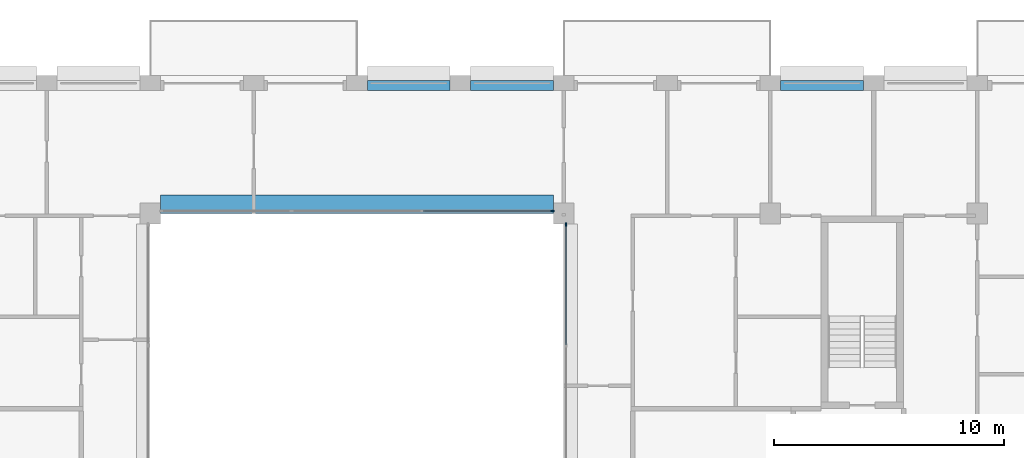
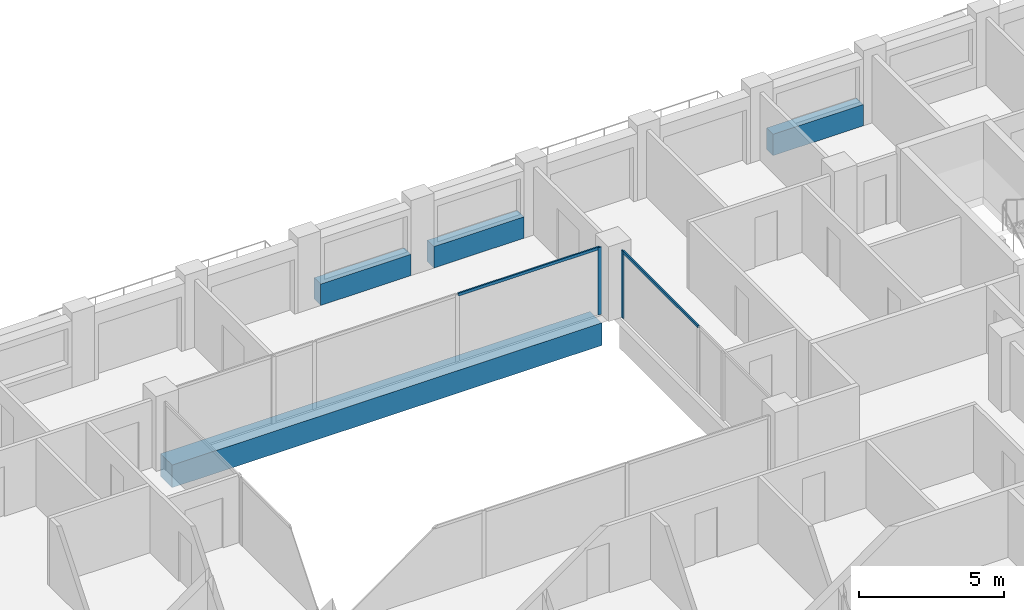
# One storey, part 6 of 15: 4 beams, 4 members, 2 elements without a shape of their own.
"""IFC4 building model written with IfcOpenShell, lengths in metres."""

from ifc_helpers import new_model, si_unit, direction, frame, origin, origin_2d, place, context, subcontext, project, spatial, rectangle, extrude, material, layer, layer_set, material_profile, profile_set, type_object, element, aggregate, save


model = new_model("IFC4")

# Units and contexts
model_context = context("Model", 3, precision=1e-05, world=origin(), true_north=direction((0.0, 1.0)))
body_context = subcontext(model_context, "Body", "Model", "MODEL_VIEW")
ifc_project = project(units=[si_unit("LENGTHUNIT", "METRE"), si_unit("AREAUNIT", "SQUARE_METRE"), si_unit("VOLUMEUNIT", "CUBIC_METRE"), si_unit("PLANEANGLEUNIT", "RADIAN"), si_unit("MASSUNIT", "GRAM", prefix="KILO")], contexts=[model_context])

# Site, building, storey
site_placement = place(None, origin())
site = spatial("IfcSite", under=ifc_project, at=site_placement, CompositionType="ELEMENT")
building_placement = place(site_placement, origin())
building = spatial("IfcBuilding", under=site, at=building_placement, Name="Brigalow Station Residences", CompositionType="ELEMENT")
storey_placement = place(building_placement, frame((0.0, 0.0, 220.050048828125)))
storey = spatial("IfcBuildingStorey", under=building, at=storey_placement, Name="L63", CompositionType="ELEMENT", Elevation=220.050048828125)

# Beam
ifc_material_1 = material(Name="Concrete C65", Category="concrete")
ifc_material_profile_1 = material_profile(ifc_material_1, rectangle(XDim=0.800048828125, YDim=0.949951171875, at=origin_2d()), Name="RC800x950")
ifc_profile_set_1 = profile_set([ifc_material_profile_1], Name="Concrete C65")
beam_type_1 = type_object("IfcBeamType", Name="ATRIUM EDGE GIRDER OVER 13.5 M SPAN 800x950 C65", PredefinedType="BEAM", material=ifc_profile_set_1)
beam_placement = place(storey_placement, frame((27.449951171875, 35.89990234375, -0.795166015625), z_axis=(1.0, 0.0, 0.0), x_axis=(0.0, 1.0, 0.0)))
element("IfcBeam", 1, at=beam_placement, inside=storey, type_object=beam_type_1, Name="ATRIUM EDGE GIRDER D L63", PredefinedType="BEAM", context=body_context, shape_type="SweptSolid", body=[
    extrude(rectangle(XDim=0.800048828125, YDim=0.949951171875, at=origin_2d()), origin(), (0.0, 0.0, 1.0), 17.10009765625),
])

# Curtain wall, member
ifc_material_2 = material(Name="Aluminium", Category="aluminium")
ifc_layer = layer(ifc_material_2, 0.14990234375)
ifc_layer_set = layer_set([ifc_layer], Name="ATRIUM FIRE-RATED GLAZING CURTAIN WALL")
curtain_wall_type = type_object("IfcCurtainWallType", Name="ATRIUM FIRE-RATED GLAZING CURTAIN WALL", PredefinedType="NOTDEFINED", material=ifc_layer_set)
curtain_wall_1_placement = place(storey_placement, origin())
curtain_wall_1 = element("IfcCurtainWall", 2, at=curtain_wall_1_placement, inside=storey, type_object=curtain_wall_type, Name="L63/cw/atrium-E", PredefinedType="NOTDEFINED")
ifc_material_3 = material(Name="Aluminium", Category="aluminium")
ifc_material_profile_2 = material_profile(ifc_material_3, rectangle(XDim=0.06005859375, YDim=0.14990234375, at=origin_2d()), Name="ATRIUM FIRE-RATED GLAZING MULLION 60x150")
ifc_profile_set_2 = profile_set([ifc_material_profile_2], Name="Aluminium")
member_type_1 = type_object("IfcMemberType", Name="ATRIUM FIRE-RATED GLAZING MULLION 60x150", PredefinedType="MULLION", material=ifc_profile_set_2)
member_1_placement = place(storey_placement, frame((45.10009765625, 35.02001953125, 0.0), z_axis=(0.0, 0.0, 1.0), x_axis=(-1.0, 0.0, 0.0)))
member_1 = element("IfcMember", 3, at=member_1_placement, type_object=member_type_1, Name="L63/cw/atrium-E/M02", PredefinedType="MULLION", context=body_context, shape_type="SweptSolid", body=[
    extrude(rectangle(XDim=0.06005859375, YDim=0.14990234375, at=origin_2d()), origin(), (0.0, 0.0, 1.0), 2.829833984375),
])

curtain_wall_2_placement = place(storey_placement, origin())
curtain_wall_2 = element("IfcCurtainWall", 4, at=curtain_wall_2_placement, inside=storey, type_object=curtain_wall_type, Name="L63/cw/atrium-N", PredefinedType="NOTDEFINED")
member_2_placement = place(storey_placement, frame((44.52001953125, 35.60009765625, 0.0), z_axis=(0.0, 0.0, 1.0), x_axis=(0.0, -1.0, 0.0)))
member_2 = element("IfcMember", 5, at=member_2_placement, type_object=member_type_1, Name="L63/cw/atrium-N/M00", PredefinedType="MULLION", context=body_context, shape_type="SweptSolid", body=[
    extrude(rectangle(XDim=0.06005859375, YDim=0.14990234375, at=origin_2d()), origin(), (0.0, 0.0, 1.0), 2.829833984375),
])

# Member
ifc_material_4 = material(Name="Aluminium", Category="aluminium")
ifc_material_profile_3 = material_profile(ifc_material_4, rectangle(XDim=0.06005859375, YDim=0.1201171875, at=origin_2d()), Name="ATRIUM FIRE-RATED GLAZING TRANSOM 60x120")
ifc_profile_set_3 = profile_set([ifc_material_profile_3], Name="Aluminium")
member_type_2 = type_object("IfcMemberType", Name="ATRIUM FIRE-RATED GLAZING TRANSOM 60x120", PredefinedType="USERDEFINED", material=ifc_profile_set_3)
member_3_placement = place(storey_placement, frame((45.10009765625, 29.780029296875, 2.800048828125), z_axis=(0.0, 1.0, 0.0), x_axis=(-1.0, 0.0, 0.0)))
member_3 = element("IfcMember", 6, at=member_3_placement, type_object=member_type_2, Name="L63/cw/atrium-E/T01-00", ObjectType="TRANSOM", PredefinedType="USERDEFINED", context=body_context, shape_type="SweptSolid", body=[
    extrude(rectangle(XDim=0.06005859375, YDim=0.1201171875, at=origin_2d()), origin(), (0.0, 0.0, 1.0), 5.2099609375),
])

aggregate(curtain_wall_1, [member_1, member_3])

member_4_placement = place(storey_placement, frame((44.489990234375, 35.60009765625, 2.800048828125), z_axis=(-1.0, 0.0, 0.0), x_axis=(0.0, -1.0, 0.0)))
member_4 = element("IfcMember", 7, at=member_4_placement, type_object=member_type_2, Name="L63/cw/atrium-N/T00-00", ObjectType="TRANSOM", PredefinedType="USERDEFINED", context=body_context, shape_type="SweptSolid", body=[
    extrude(rectangle(XDim=0.06005859375, YDim=0.1201171875, at=origin_2d()), origin(), (0.0, 0.0, 1.0), 5.610107421875),
])

aggregate(curtain_wall_2, [member_2, member_4])

# Beams
ifc_material_5 = material(Name="Concrete C50", Category="concrete")
ifc_material_profile_4 = material_profile(ifc_material_5, rectangle(XDim=0.449951171875, YDim=0.89990234375, at=origin_2d()), Name="RC450x900")
ifc_profile_set_4 = profile_set([ifc_material_profile_4], Name="Concrete C50")
beam_type_2 = type_object("IfcBeamType", Name="SPANDREL BEAM 450x900 C50", PredefinedType="SPANDREL", material=ifc_profile_set_4)
for number, where, z_axis, x_axis, name in (
    (8, (58.050048828125, 41.074951171875, 0.449951171875), (-1.0, 0.0, 0.0), (0.0, -1.0, 0.0), "L63/spandrel/W-L63-22"),
    (9, (44.550048828125, 41.074951171875, 0.449951171875), (-1.0, 0.0, 0.0), (0.0, -1.0, 0.0), "L63/spandrel/W-L63-25"),
    (10, (40.050048828125, 41.074951171875, 0.449951171875), (-1.0, 0.0, 0.0), (0.0, -1.0, 0.0), "L63/spandrel/W-L63-26"),
):
    element("IfcBeam", number, at=place(storey_placement, frame(where, z_axis=z_axis, x_axis=x_axis)), inside=storey, type_object=beam_type_2, Name=name, PredefinedType="SPANDREL", context=body_context, shape_type="SweptSolid", body=[
        extrude(rectangle(XDim=0.449951171875, YDim=0.89990234375, at=origin_2d()), origin(), (0.0, 0.0, 1.0), 3.60009765625),
    ])

save(model, "model.ifc")
